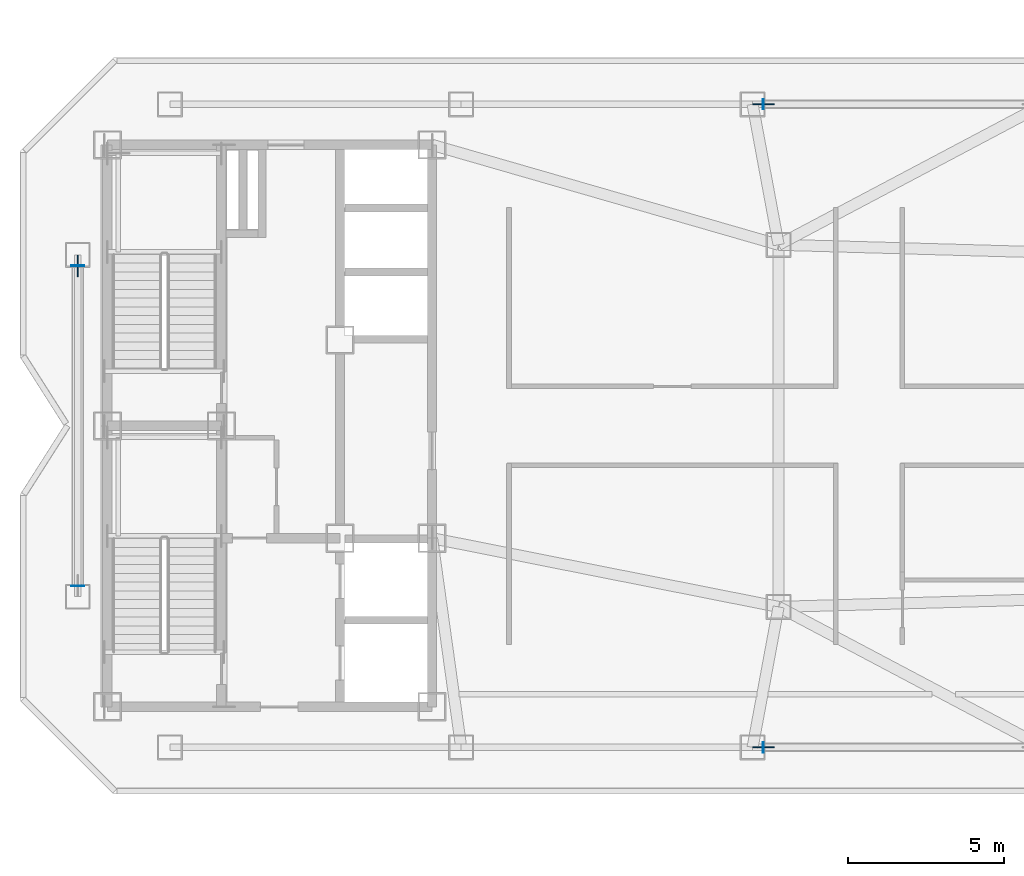
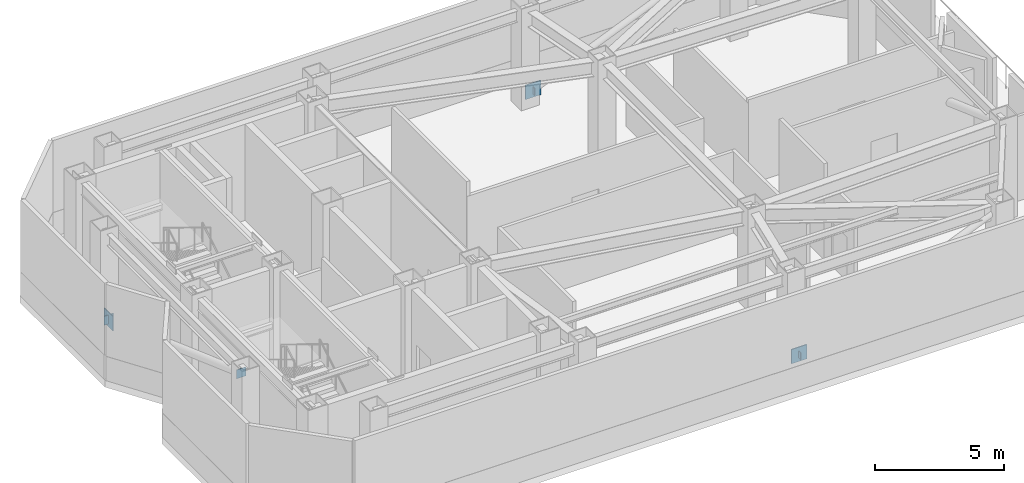
# One storey, part 3 of 10: 7 plates.
"""IFC4 building model written with IfcOpenShell, lengths in metres."""

from ifc_helpers import new_model, si_unit, direction, frame, origin, origin_2d, place, context, subcontext, project, spatial, rectangle, extrude, material, layer, layer_set, type_object, element, save


model = new_model("IFC4")

# Units and contexts
model_context = context("Model", 3, precision=1e-05, world=origin(), true_north=direction((0.0, 1.0)))
body_context = subcontext(model_context, "Body", "Model", "MODEL_VIEW")
ifc_project = project(units=[si_unit("LENGTHUNIT", "METRE"), si_unit("AREAUNIT", "SQUARE_METRE"), si_unit("VOLUMEUNIT", "CUBIC_METRE"), si_unit("PLANEANGLEUNIT", "RADIAN"), si_unit("MASSUNIT", "GRAM", prefix="KILO")], contexts=[model_context])

# Site, building, storey
site_placement = place(None, origin())
site = spatial("IfcSite", under=ifc_project, at=site_placement, CompositionType="ELEMENT")
building_placement = place(site_placement, origin())
building = spatial("IfcBuilding", under=site, at=building_placement, Name="Khamvora Tower", CompositionType="ELEMENT")
storey_placement = place(building_placement, frame((0.0, 0.0, 303.050048828125)))
storey = spatial("IfcBuildingStorey", under=building, at=storey_placement, Name="L77", CompositionType="ELEMENT", Elevation=303.050048828125)

# Plates
ifc_material_1 = material(Name="Steel S355", Category="steel")
ifc_layer_1 = layer(ifc_material_1, 0.02490234375)
ifc_layer_set_1 = layer_set([ifc_layer_1], Name="Steel S355")
plate_type_1 = type_object("IfcPlateType", Name="PL-CAP-25", PredefinedType="SHEET", material=ifc_layer_set_1)
for number, where, z_axis, x_axis, name in (
    (1, (28.050048828125, 33.12890625, 0.265869140625), (0.0, 0.0, 1.0), (0.0, -1.0, 0.0), "L77 hollow section steel end cap plate 1317"),
    (2, (28.050048828125, 22.87109375, 3.951904296875), (0.0, 0.0, 1.0), (0.0, -1.0, 0.0), "L77 hollow section steel end cap plate 1318"),
):
    element("IfcPlate", number, at=place(storey_placement, frame(where, z_axis=z_axis, x_axis=x_axis)), inside=storey, type_object=plate_type_1, Name=name, PredefinedType="SHEET", context=body_context, shape_type="SweptSolid", body=[
        extrude(rectangle(XDim=0.02490234375, YDim=0.416015625, at=origin_2d()), origin(), (0.0, 0.0, 1.0), 0.416015625),
    ])
for number, where, z_axis, x_axis, name in (
    (3, (50.0048828125, 17.699951171875, 0.325439453125), (0.0, 0.0, 1.0), (1.0, 0.0, 0.0), "L77 hollow section steel end cap plate 1321"),
    (4, (50.0048828125, 38.300048828125, 0.325439453125), (0.0, 0.0, 1.0), (1.0, 0.0, 0.0), "L77 hollow section steel end cap plate 1323"),
):
    element("IfcPlate", number, at=place(storey_placement, frame(where, z_axis=z_axis, x_axis=x_axis)), inside=storey, type_object=plate_type_1, Name=name, PredefinedType="SHEET", context=body_context, shape_type="SweptSolid", body=[
        extrude(rectangle(XDim=0.02490234375, YDim=0.3330078125, at=origin_2d()), origin(), (0.0, 0.0, 1.0), 0.3330078125),
    ])
ifc_material_2 = material(Name="Steel S460", Category="steel")
ifc_layer_2 = layer(ifc_material_2, 0.0400390625)
ifc_layer_set_2 = layer_set([ifc_layer_2], Name="Steel S460")
plate_type_2 = type_object("IfcPlateType", Name="PLT-GUS-40", PredefinedType="SHEET", material=ifc_layer_set_2)
for number, where, z_axis, x_axis, name in (
    (5, (28.050048828125, 33.116943359375, 0.13818359375), (0.0, 0.0, 1.0), (0.0, 1.0, 0.0), "L77 brace connection node gusset plate 0465"),
    (6, (50.01708984375, 17.699951171875, 0.1572265625), (0.0, 0.0, 1.0), (1.0, 0.0, 0.0), "L77 brace connection node gusset plate 0469"),
    (7, (50.01708984375, 38.300048828125, 0.1572265625), (0.0, 0.0, 1.0), (1.0, 0.0, 0.0), "L77 brace connection node gusset plate 0471"),
):
    element("IfcPlate", number, at=place(storey_placement, frame(where, z_axis=z_axis, x_axis=x_axis)), inside=storey, type_object=plate_type_2, Name=name, PredefinedType="SHEET", context=body_context, shape_type="SweptSolid", body=[
        extrude(rectangle(XDim=0.679931640625, YDim=0.0400390625, at=origin_2d()), origin(), (0.0, 0.0, 1.0), 0.679931640625),
    ])

save(model, "model.ifc")
